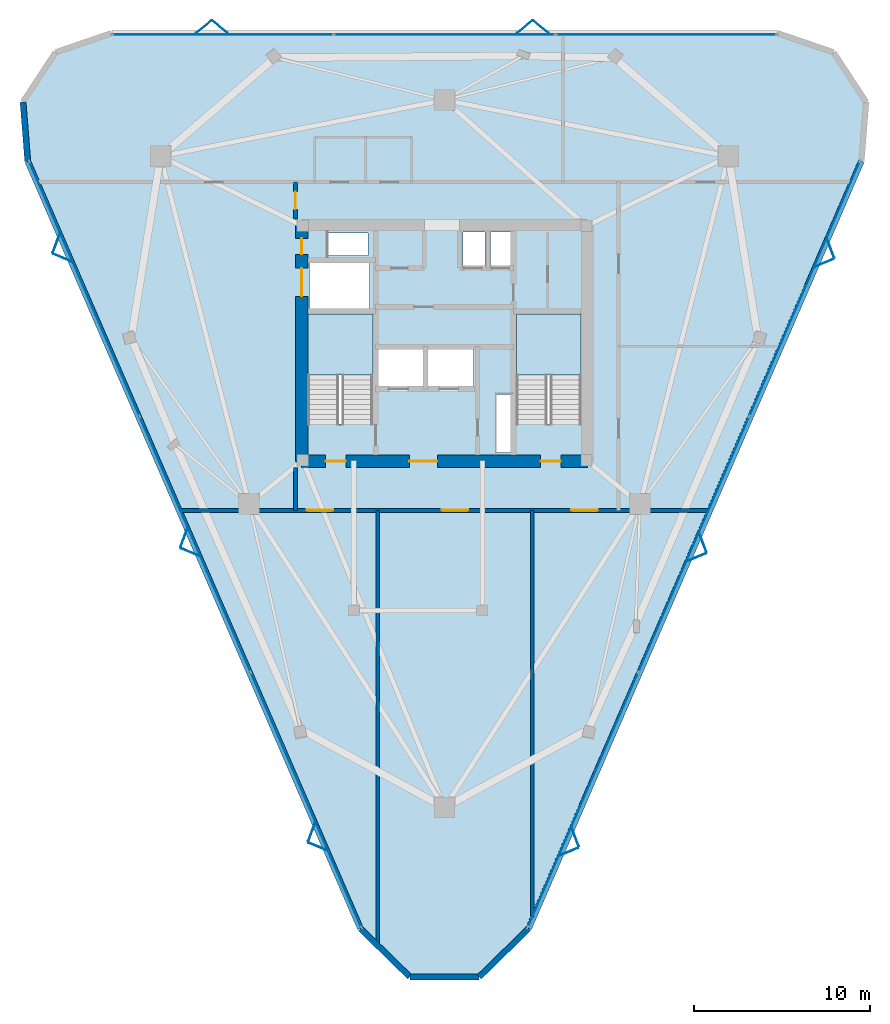
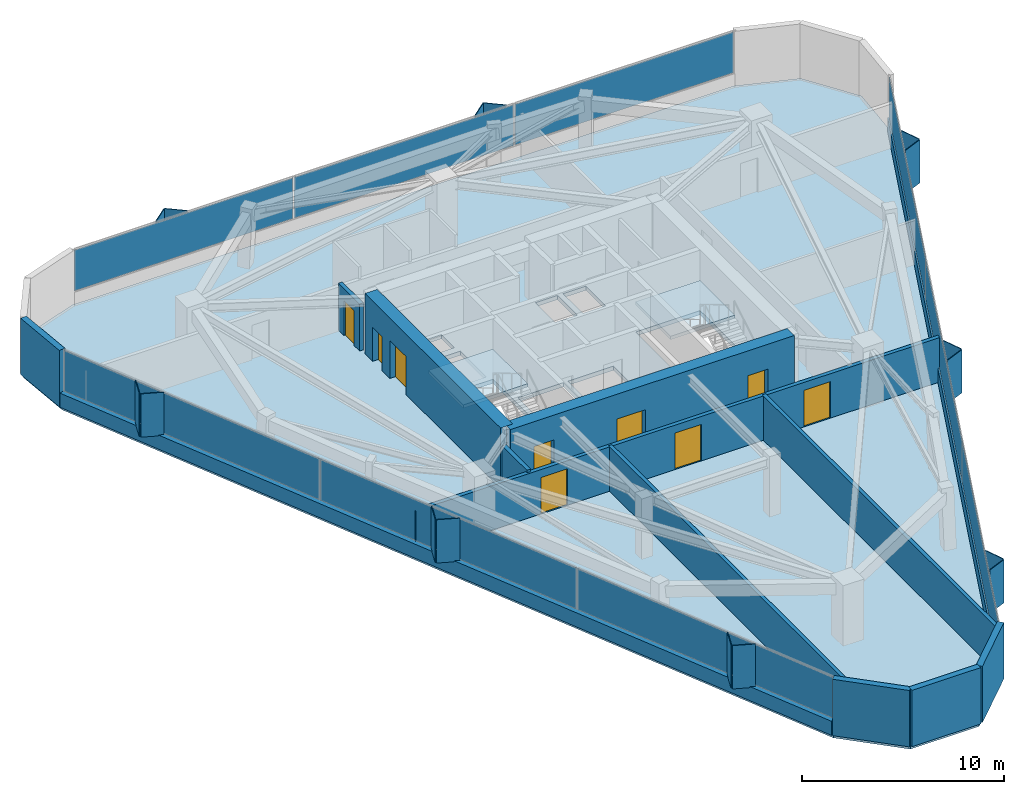
# One storey, part 8 of 11: 25 plates, 13 walls, 9 doors, 3 slabs, 9 openings, 5 elements without a shape of their own.
"""IFC4 building model written with IfcOpenShell, lengths in metres."""

from ifc_helpers import new_model, si_unit, direction, frame, frame_2d, origin, origin_2d, place, context, subcontext, project, spatial, polyline, rectangle, outline, extrude, material, layer, layer_set, type_object, element, fill, aggregate, save


model = new_model("IFC4")

# Units and contexts
model_context = context("Model", 3, precision=1e-05, world=origin(), true_north=direction((0.0, 1.0)))
body_context = subcontext(model_context, "Body", "Model", "MODEL_VIEW")
ifc_project = project(units=[si_unit("LENGTHUNIT", "METRE"), si_unit("AREAUNIT", "SQUARE_METRE"), si_unit("VOLUMEUNIT", "CUBIC_METRE"), si_unit("PLANEANGLEUNIT", "RADIAN"), si_unit("MASSUNIT", "GRAM", prefix="KILO")], contexts=[model_context])

# Site, building, storey
site_placement = place(None, origin())
site = spatial("IfcSite", under=ifc_project, at=site_placement, CompositionType="ELEMENT")
building_placement = place(site_placement, origin())
building = spatial("IfcBuilding", under=site, at=building_placement, Name="Talyreon Biosciences Tower", CompositionType="ELEMENT")
storey_placement = place(building_placement, frame((0.0, 0.0, 242.550048828125)))
storey = spatial("IfcBuildingStorey", under=building, at=storey_placement, Name="L64", CompositionType="ELEMENT", Elevation=242.550048828125)

# Curtain wall, plates
ifc_material_1 = material(Name="Thermally broken aluminium and low-E glazing", Category="aluminium")
ifc_layer_1 = layer(ifc_material_1, 0.175048828125)
ifc_layer_set_1 = layer_set([ifc_layer_1], Name="Thermally broken aluminium and low-E glazing")
curtain_wall_type = type_object("IfcCurtainWallType", Name="CurtainWall_Zone5CompLab", PredefinedType="NOTDEFINED", material=ifc_layer_set_1)
curtain_wall_1_placement = place(storey_placement, origin())
curtain_wall_1 = element("IfcCurtainWall", 1, at=curtain_wall_1_placement, inside=storey, type_object=curtain_wall_type, Name="L64 Unitised Curtain Wall FCW-L64-00", PredefinedType="NOTDEFINED")
ifc_material_2 = material(Name="Triple-silver low-E insulated glazing", Category="glass")
ifc_layer_2 = layer(ifc_material_2, 0.031982421875)
ifc_layer_set_2 = layer_set([ifc_layer_2], Name="Triple-silver low-E insulated glazing")
plate_type_1 = type_object("IfcPlateType", Name="CWGlazingPanel_32", PredefinedType="CURTAIN_PANEL", material=ifc_layer_set_2)
plate_1_placement = place(storey_placement, frame((58.1513671875, 42.10009765625, 0.875), z_axis=(0.0, 0.0, 1.0), x_axis=(-0.397832088162, 0.917458244079, 0.0)))
plate_1 = element("IfcPlate", 2, at=plate_1_placement, type_object=plate_type_1, Name="CW6 panel 1.1", PredefinedType="CURTAIN_PANEL", context=body_context, shape_type="SweptSolid", body=[
    extrude(rectangle(XDim=15.71240234375, YDim=0.031982421875, at=origin_2d()), origin(), (0.0, 0.0, 1.0), 2.4599609375),
])
plate_2_placement = place(storey_placement, frame((51.867919921875, 56.59033203125, 0.875), z_axis=(0.0, 0.0, 1.0), x_axis=(-0.397832088162, 0.917458244079, 0.0)))
plate_2 = element("IfcPlate", 3, at=plate_2_placement, type_object=plate_type_1, Name="CW6 panel 2.1", PredefinedType="CURTAIN_PANEL", context=body_context, shape_type="SweptSolid", body=[
    extrude(rectangle(XDim=15.7451171875, YDim=0.031982421875, at=origin_2d()), origin(), (0.0, 0.0, 1.0), 2.4599609375),
])
plate_3_placement = place(storey_placement, frame((45.584716796875, 71.080322265625, 0.875), z_axis=(0.0, 0.0, 1.0), x_axis=(-0.397832088162, 0.917458244079, 0.0)))
plate_3 = element("IfcPlate", 4, at=plate_3_placement, type_object=plate_type_1, Name="CW6 panel 3.1", PredefinedType="CURTAIN_PANEL", context=body_context, shape_type="SweptSolid", body=[
    extrude(rectangle(XDim=15.71240234375, YDim=0.031982421875, at=origin_2d()), origin(), (0.0, 0.0, 1.0), 2.4599609375),
])
aggregate(curtain_wall_1, [plate_1, plate_2, plate_3])

curtain_wall_2_placement = place(storey_placement, origin())
curtain_wall_2 = element("IfcCurtainWall", 5, at=curtain_wall_2_placement, inside=storey, type_object=curtain_wall_type, Name="L64 Unitised Curtain Wall FCW-L64-04", PredefinedType="NOTDEFINED")
plate_4_placement = place(storey_placement, frame((53.436767578125, 85.504638671875, 0.875), z_axis=(0.0, 0.0, 1.0), x_axis=(1.0, 0.0, 0.0)))
plate_4 = element("IfcPlate", 6, at=plate_4_placement, type_object=plate_type_1, Name="CW6 panel 1.1", PredefinedType="CURTAIN_PANEL", context=body_context, shape_type="SweptSolid", body=[
    extrude(rectangle(XDim=12.48193359375, YDim=0.031982421875, at=origin_2d()), origin(), (0.0, 0.0, 1.0), 2.4599609375),
])
plate_5_placement = place(storey_placement, frame((66.0, 85.504638671875, 0.875), z_axis=(0.0, 0.0, 1.0), x_axis=(1.0, 0.0, 0.0)))
plate_5 = element("IfcPlate", 7, at=plate_5_placement, type_object=plate_type_1, Name="CW6 panel 2.1", PredefinedType="CURTAIN_PANEL", context=body_context, shape_type="SweptSolid", body=[
    extrude(rectangle(XDim=12.514404296875, YDim=0.031982421875, at=origin_2d()), origin(), (0.0, 0.0, 1.0), 2.4599609375),
])
plate_6_placement = place(storey_placement, frame((78.563232421875, 85.504638671875, 0.875), z_axis=(0.0, 0.0, 1.0), x_axis=(1.0, 0.0, 0.0)))
plate_6 = element("IfcPlate", 8, at=plate_6_placement, type_object=plate_type_1, Name="CW6 panel 3.1", PredefinedType="CURTAIN_PANEL", context=body_context, shape_type="SweptSolid", body=[
    extrude(rectangle(XDim=12.48193359375, YDim=0.031982421875, at=origin_2d()), origin(), (0.0, 0.0, 1.0), 2.4599609375),
])
aggregate(curtain_wall_2, [plate_4, plate_5, plate_6])

curtain_wall_3_placement = place(storey_placement, origin())
curtain_wall_3 = element("IfcCurtainWall", 9, at=curtain_wall_3_placement, inside=storey, type_object=curtain_wall_type, Name="L64 Unitised Curtain Wall FCW-L64-08", PredefinedType="NOTDEFINED")
plate_7_placement = place(storey_placement, frame((86.415283203125, 71.080322265625, 0.875), z_axis=(0.0, 0.0, 1.0), x_axis=(-0.397832088162, -0.917458244079, 0.0)))
plate_7 = element("IfcPlate", 10, at=plate_7_placement, type_object=plate_type_1, Name="CW6 panel 1.1", PredefinedType="CURTAIN_PANEL", context=body_context, shape_type="SweptSolid", body=[
    extrude(rectangle(XDim=15.71240234375, YDim=0.031982421875, at=origin_2d()), origin(), (0.0, 0.0, 1.0), 2.4599609375),
])
plate_8_placement = place(storey_placement, frame((80.132080078125, 56.59033203125, 0.875), z_axis=(0.0, 0.0, 1.0), x_axis=(-0.397832088162, -0.917458244079, 0.0)))
plate_8 = element("IfcPlate", 11, at=plate_8_placement, type_object=plate_type_1, Name="CW6 panel 2.1", PredefinedType="CURTAIN_PANEL", context=body_context, shape_type="SweptSolid", body=[
    extrude(rectangle(XDim=15.7451171875, YDim=0.031982421875, at=origin_2d()), origin(), (0.0, 0.0, 1.0), 2.4599609375),
])
plate_9_placement = place(storey_placement, frame((73.8486328125, 42.10009765625, 0.875), z_axis=(0.0, 0.0, 1.0), x_axis=(-0.397832088162, -0.917458244079, 0.0)))
plate_9 = element("IfcPlate", 12, at=plate_9_placement, type_object=plate_type_1, Name="CW6 panel 3.1", PredefinedType="CURTAIN_PANEL", context=body_context, shape_type="SweptSolid", body=[
    extrude(rectangle(XDim=15.71240234375, YDim=0.031982421875, at=origin_2d()), origin(), (0.0, 0.0, 1.0), 2.4599609375),
])
aggregate(curtain_wall_3, [plate_7, plate_8, plate_9])

# Slab
ifc_material_3 = material(Name="Concrete C40/50", Category="concrete")
ifc_layer_3 = layer(ifc_material_3, 0.25)
ifc_layer_set_3 = layer_set([ifc_layer_3], Name="Concrete C40/50")
slab_type_1 = type_object("IfcSlabType", Name="DryLabFloorSlab_250", PredefinedType="FLOOR", material=ifc_layer_set_3)
slab_1_placement = place(storey_placement, frame((0.0, 0.0, -0.25)))
element("IfcSlab", 13, at=slab_1_placement, inside=storey, type_object=slab_type_1, Name="L64 Structural Floor Slab", PredefinedType="FLOOR", context=body_context, shape_type="SweptSolid", body=[
    extrude(outline(polyline([(61.229248046875, 34.80078125), (42.360107421875, 78.31591796875), (42.093505859375, 81.67529296875), (43.942626953125, 84.49267578125), (47.130615234375, 85.584716796875), (84.869140625, 85.584716796875), (88.057373046875, 84.49267578125), (89.906494140625, 81.67529296875), (89.639892578125, 78.31591796875), (70.770751953125, 34.80078125), (67.963623046875, 32.0546875), (64.036376953125, 32.0546875), (61.229248046875, 34.80078125)]), holes=[polyline([(69.820068359375, 65.10009765625), (69.820068359375, 61.800048828125), (68.9599609375, 61.800048828125), (68.9599609375, 65.10009765625), (69.820068359375, 65.10009765625)]), polyline([(61.929931640625, 69.64990234375), (61.929931640625, 63.407958984375), (58.25, 63.407958984375), (58.25, 69.64990234375), (61.929931640625, 69.64990234375)]), polyline([(73.75, 69.64990234375), (73.75, 63.407958984375), (70.070068359375, 63.407958984375), (70.070068359375, 69.64990234375), (73.75, 69.64990234375)]), polyline([(64.800048828125, 67.64990234375), (64.800048828125, 65.550048828125), (62.199951171875, 65.550048828125), (62.199951171875, 67.64990234375), (64.800048828125, 67.64990234375)]), polyline([(67.64990234375, 67.64990234375), (67.64990234375, 65.550048828125), (65.050048828125, 65.550048828125), (65.050048828125, 67.64990234375), (67.64990234375, 67.64990234375)]), polyline([(61.75, 72.550048828125), (61.75, 69.97998046875), (58.35009765625, 69.97998046875), (58.35009765625, 72.550048828125), (61.75, 72.550048828125)]), polyline([(68.300048828125, 74.300048828125), (68.300048828125, 72.35009765625), (67.050048828125, 72.35009765625), (67.050048828125, 74.300048828125), (68.300048828125, 74.300048828125)]), polyline([(69.919921875, 72.35009765625), (68.6201171875, 72.35009765625), (68.6201171875, 74.300048828125), (69.919921875, 74.300048828125), (69.919921875, 72.35009765625)]), polyline([(61.64990234375, 72.9599609375), (59.39990234375, 72.9599609375), (59.39990234375, 74.25), (61.64990234375, 74.25), (61.64990234375, 72.9599609375)])]), origin(), (0.0, 0.0, 1.0), 0.25),
])

# Plates
ifc_material_4 = material(Name="Ivory GFRC sunshade panel", Category="concrete")
ifc_layer_4 = layer(ifc_material_4, 0.044921875)
ifc_layer_set_4 = layer_set([ifc_layer_4], Name="Ivory GFRC sunshade panel")
plate_type_2 = type_object("IfcPlateType", Name="FoldedVSunshade_NorthFace_SUNSHADE", PredefinedType="USERDEFINED", material=ifc_layer_set_4)
for number, where, z_axis, x_axis, name in (
    (14, (52.3505859375, 85.944580078125, 0.7900390625), (0.0, 0.0, 1.0), (0.771624583388, 0.636078220278, 0.0), "L64 Folded V-Sunshade Panel 04.01L"),
    (15, (53.250732421875, 85.944580078125, 0.7900390625), (0.0, 0.0, 1.0), (0.771624583388, -0.636078220278, 0.0), "L64 Folded V-Sunshade Panel 04.01R"),
    (16, (70.55078125, 85.944580078125, 0.7900390625), (0.0, 0.0, 1.0), (0.771624583388, 0.636078220278, 0.0), "L64 Folded V-Sunshade Panel 04.02L"),
    (17, (71.45068359375, 85.944580078125, 0.7900390625), (0.0, 0.0, 1.0), (0.771624583388, -0.636078220278, 0.0), "L64 Folded V-Sunshade Panel 04.02R"),
):
    element("IfcPlate", number, at=place(storey_placement, frame(where, z_axis=z_axis, x_axis=x_axis)), inside=storey, type_object=plate_type_2, Name=name, ObjectType="SUNSHADE", PredefinedType="USERDEFINED", context=body_context, shape_type="SweptSolid", body=[
        extrude(rectangle(XDim=1.14990234375, YDim=0.044921875, at=origin_2d()), origin(), (0.0, 0.0, 1.0), 2.610107421875),
    ])
ifc_layer_5 = layer(ifc_material_4, 0.044921875)
ifc_layer_set_5 = layer_set([ifc_layer_5], Name="Ivory GFRC sunshade panel")
plate_type_3 = type_object("IfcPlateType", Name="FoldedVSunshade_SunFace_SUNSHADE", PredefinedType="USERDEFINED", material=ifc_layer_set_5)
for number, where, z_axis, x_axis, name in (
    (18, (58.822265625, 39.44677734375, 0.7900390625), (0.0, 0.0, 1.0), (-0.923498367496, 0.383602353007, 0.0), "L64 Folded V-Sunshade Panel 00.01L"),
    (19, (58.464111328125, 40.2724609375, 0.7900390625), (0.0, 0.0, 1.0), (0.351139044587, 0.936323326296, 0.0), "L64 Folded V-Sunshade Panel 00.01R"),
    (20, (51.581787109375, 56.14453125, 0.7900390625), (0.0, 0.0, 1.0), (-0.923498367496, 0.383602353007, 0.0), "L64 Folded V-Sunshade Panel 00.02L"),
    (21, (51.2236328125, 56.97021484375, 0.7900390625), (0.0, 0.0, 1.0), (0.351139044587, 0.936323326296, 0.0), "L64 Folded V-Sunshade Panel 00.02R"),
    (22, (44.341064453125, 72.84228515625, 0.7900390625), (0.0, 0.0, 1.0), (-0.923498367496, 0.383602353007, 0.0), "L64 Folded V-Sunshade Panel 00.03L"),
    (23, (43.983154296875, 73.66796875, 0.7900390625), (0.0, 0.0, 1.0), (0.351139044587, 0.936323326296, 0.0), "L64 Folded V-Sunshade Panel 00.03R"),
    (24, (87.8935546875, 73.383544921875, 0.7900390625), (0.0, 0.0, 1.0), (0.351139044587, -0.936323326296, 0.0), "L64 Folded V-Sunshade Panel 08.01L"),
    (25, (87.53564453125, 72.557861328125, 0.7900390625), (0.0, 0.0, 1.0), (-0.923498367496, -0.383602353007, 0.0), "L64 Folded V-Sunshade Panel 08.01R"),
    (26, (80.653076171875, 56.685791015625, 0.7900390625), (0.0, 0.0, 1.0), (0.351139044587, -0.936323326296, 0.0), "L64 Folded V-Sunshade Panel 08.02L"),
    (27, (80.294921875, 55.860107421875, 0.7900390625), (0.0, 0.0, 1.0), (-0.923498367496, -0.383602353007, 0.0), "L64 Folded V-Sunshade Panel 08.02R"),
    (28, (73.41259765625, 39.98828125, 0.7900390625), (0.0, 0.0, 1.0), (0.351139044587, -0.936323326296, 0.0), "L64 Folded V-Sunshade Panel 08.03L"),
    (29, (73.054443359375, 39.16259765625, 0.7900390625), (0.0, 0.0, 1.0), (-0.923498367496, -0.383602353007, 0.0), "L64 Folded V-Sunshade Panel 08.03R"),
):
    element("IfcPlate", number, at=place(storey_placement, frame(where, z_axis=z_axis, x_axis=x_axis)), inside=storey, type_object=plate_type_3, Name=name, ObjectType="SUNSHADE", PredefinedType="USERDEFINED", context=body_context, shape_type="SweptSolid", body=[
        extrude(rectangle(XDim=1.14990234375, YDim=0.044921875, at=origin_2d()), origin(), (0.0, 0.0, 1.0), 2.610107421875),
    ])

# Stair, slab
stair_type = type_object("IfcStairType", Name="DoglegEscapeStair_3650", PredefinedType="HALF_TURN_STAIR", material=ifc_material_3)
stair_1_placement = place(storey_placement, origin())
stair_1 = element("IfcStair", 30, at=stair_1_placement, inside=storey, type_object=stair_type, Name="L64 Core Escape Stair 1", PredefinedType="HALF_TURN_STAIR")
ifc_layer_6 = layer(ifc_material_3, 0.199951171875)
ifc_layer_set_6 = layer_set([ifc_layer_6], Name="Concrete C40/50")
slab_type_2 = type_object("IfcSlabType", Name="StairLandingSlab_200", PredefinedType="LANDING", material=ifc_layer_set_6)
slab_2_placement = place(storey_placement, frame((0.0, 0.0, 1.625)))
slab_2 = element("IfcSlab", 31, at=slab_2_placement, type_object=slab_type_2, Name="ST-1 landing 1", PredefinedType="LANDING", context=body_context, shape_type="SweptSolid", body=[
    extrude(outline(polyline([(61.929931640625, 66.199951171875), (61.929931640625, 69.64990234375), (58.25, 69.64990234375), (58.25, 66.199951171875), (61.929931640625, 66.199951171875)])), origin(), (0.0, 0.0, 1.0), 0.199951171875),
])
aggregate(stair_1, [slab_2])

stair_2_placement = place(storey_placement, origin())
stair_2 = element("IfcStair", 32, at=stair_2_placement, inside=storey, type_object=stair_type, Name="L64 Core Escape Stair 2", PredefinedType="HALF_TURN_STAIR")
slab_3_placement = place(storey_placement, frame((0.0, 0.0, 1.625)))
slab_3 = element("IfcSlab", 33, at=slab_3_placement, type_object=slab_type_2, Name="ST-2 landing 1", PredefinedType="LANDING", context=body_context, shape_type="SweptSolid", body=[
    extrude(outline(polyline([(73.75, 66.199951171875), (73.75, 69.64990234375), (70.070068359375, 69.64990234375), (70.070068359375, 66.199951171875), (73.75, 66.199951171875)])), origin(), (0.0, 0.0, 1.0), 0.199951171875),
])
aggregate(stair_2, [slab_3])

# Walls
ifc_material_5 = material(Name="Gypsum fireboard acoustic stud", Category="gypsum")
ifc_layer_7 = layer(ifc_material_5, 0.199951171875)
ifc_layer_set_7 = layer_set([ifc_layer_7], Name="Gypsum fireboard acoustic stud")
wall_type_1 = type_object("IfcWallType", Name="ChemControlPartition_200", PredefinedType="PARTITIONING", material=ifc_layer_set_7)
wall_1_placement = place(storey_placement, frame((62.199951171875, 33.97021484375, 0.0), z_axis=(0.0, 0.0, 1.0), x_axis=(0.0, 1.0, 0.0)))
element("IfcWall", 34, at=wall_1_placement, inside=storey, type_object=wall_type_1, Name="L64 Interior Wall IW-L64-SDIV1", PredefinedType="PARTITIONING", context=body_context, shape_type="SweptSolid", body=[
    extrude(rectangle(XDim=24.5498046875, YDim=0.199951171875, at=frame_2d((12.27490234375, 0.0))), origin(), (0.0, 0.0, 1.0), 2.679931640625),
])
wall_2_placement = place(storey_placement, frame((70.968017578125, 35.46923828125, 0.0), z_axis=(0.0, 0.0, 1.0), x_axis=(0.0, 1.0, 0.0)))
element("IfcWall", 35, at=wall_2_placement, inside=storey, type_object=wall_type_1, Name="L64 Interior Wall IW-L64-SDIV2", PredefinedType="PARTITIONING", context=body_context, shape_type="SweptSolid", body=[
    extrude(rectangle(XDim=23.05078125, YDim=0.199951171875, at=frame_2d((11.525390625, 0.0))), origin(), (0.0, 0.0, 1.0), 2.679931640625),
])

# Wall, openings, doors
ifc_material_6 = material(Name="Concrete C50/60", Category="concrete")
ifc_layer_8 = layer(ifc_material_6, 0.699951171875)
ifc_layer_set_8 = layer_set([ifc_layer_8], Name="Concrete C50/60")
wall_type_2 = type_object("IfcWallType", Name="CoreShearWall_700", PredefinedType="SHEAR", material=ifc_layer_set_8)
wall_3_placement = place(storey_placement, frame((57.89990234375, 61.300048828125, 0.0), z_axis=(0.0, 0.0, 1.0), x_axis=(1.0, 0.0, 0.0)))
wall_3 = element("IfcWall", 36, at=wall_3_placement, inside=storey, type_object=wall_type_2, Name="L64 Core Shear Wall S", PredefinedType="SHEAR", context=body_context, shape_type="SweptSolid", body=[
    extrude(rectangle(XDim=16.2001953125, YDim=0.699951171875, at=frame_2d((8.10009765625, 0.0))), origin(), (0.0, 0.0, 1.0), 3.64990234375),
])
opening_1_placement = place(wall_3_placement, frame((1.35009765625, 0.0, 0.0)))
opening_1 = element("IfcOpeningElement", 37, at=opening_1_placement, cuts=wall_3, Name="Opening DR-L64-ST1", PredefinedType="OPENING", context=body_context, shape_type="SweptSolid", body=[
    extrude(rectangle(XDim=1.14990234375, YDim=2.14990234375, at=frame_2d((0.574951171875, 1.074951171875))), frame((0.0, 0.35986328125, 0.0), z_axis=(0.0, -1.0, 0.0), x_axis=(1.0, 0.0, 0.0)), (0.0, 0.0, 1.0), 0.719970703125),
])
opening_2_placement = place(wall_3_placement, frame((6.10009765625, 0.0, 0.0)))
opening_2 = element("IfcOpeningElement", 38, at=opening_2_placement, cuts=wall_3, Name="Opening DR-L64-FFL", PredefinedType="OPENING", context=body_context, shape_type="SweptSolid", body=[
    extrude(rectangle(XDim=1.60009765625, YDim=2.14990234375, at=frame_2d((0.800048828125, 1.074951171875))), frame((0.0, 0.35986328125, 0.0), z_axis=(0.0, -1.0, 0.0), x_axis=(1.0, 0.0, 0.0)), (0.0, 0.0, 1.0), 0.719970703125),
])
opening_3_placement = place(wall_3_placement, frame((13.550048828125, 0.0, 0.0)))
opening_3 = element("IfcOpeningElement", 39, at=opening_3_placement, cuts=wall_3, Name="Opening DR-L64-ST2", PredefinedType="OPENING", context=body_context, shape_type="SweptSolid", body=[
    extrude(rectangle(XDim=1.14990234375, YDim=2.14990234375, at=frame_2d((0.574951171875, 1.074951171875))), frame((0.0, 0.35986328125, 0.0), z_axis=(0.0, -1.0, 0.0), x_axis=(1.0, 0.0, 0.0)), (0.0, 0.0, 1.0), 0.719970703125),
])
ifc_material_7 = material(Name="Painted steel smoke-seal fire door", Category="steel")
door_type_1 = type_object("IfcDoorType", Name="FirefightingLobbyDoubleDoor_1600x2150", OperationType="DOUBLE_DOOR_SINGLE_SWING", PredefinedType="DOOR", material=ifc_material_7)
door_1_placement = place(opening_2_placement, origin())
door_1 = element("IfcDoor", 40, at=door_1_placement, inside=storey, type_object=door_type_1, Name="L64 Core Door DR-L64-FFL", OperationType="DOUBLE_DOOR_SINGLE_SWING", OverallHeight=2.14990234375, OverallWidth=1.60009765625, PredefinedType="DOOR", context=body_context, shape_type="SweptSolid", body=[
    extrude(rectangle(XDim=1.60009765625, YDim=2.14990234375, at=frame_2d((0.800048828125, 1.074951171875))), frame((0.0, 0.02490234375, 0.0), z_axis=(0.0, -1.0, 0.0), x_axis=(1.0, 0.0, 0.0)), (0.0, 0.0, 1.0), 0.050048828125),
])
fill(opening_2, door_1)
ifc_material_8 = material(Name="Painted steel fire door", Category="steel")
door_type_2 = type_object("IfcDoorType", Name="StairShaftFireDoor_1150x2150", OperationType="NOTDEFINED", PredefinedType="DOOR", material=ifc_material_8)
door_2_placement = place(opening_1_placement, origin())
door_2 = element("IfcDoor", 41, at=door_2_placement, inside=storey, type_object=door_type_2, Name="L64 Core Door DR-L64-ST1", OperationType="SINGLE_SWING_LEFT", OverallHeight=2.14990234375, OverallWidth=1.14990234375, PredefinedType="DOOR", context=body_context, shape_type="SweptSolid", body=[
    extrude(rectangle(XDim=1.14990234375, YDim=2.14990234375, at=frame_2d((0.574951171875, 1.074951171875))), frame((0.0, 0.02490234375, 0.0), z_axis=(0.0, -1.0, 0.0), x_axis=(1.0, 0.0, 0.0)), (0.0, 0.0, 1.0), 0.050048828125),
])
fill(opening_1, door_2)
door_3_placement = place(opening_3_placement, origin())
door_3 = element("IfcDoor", 42, at=door_3_placement, inside=storey, type_object=door_type_2, Name="L64 Core Door DR-L64-ST2", OperationType="SINGLE_SWING_RIGHT", OverallHeight=2.14990234375, OverallWidth=1.14990234375, PredefinedType="DOOR", context=body_context, shape_type="SweptSolid", body=[
    extrude(rectangle(XDim=1.14990234375, YDim=2.14990234375, at=frame_2d((0.574951171875, 1.074951171875))), frame((0.0, 0.02490234375, 0.0), z_axis=(0.0, -1.0, 0.0), x_axis=(1.0, 0.0, 0.0)), (0.0, 0.0, 1.0), 0.050048828125),
])
fill(opening_3, door_3)

wall_4_placement = place(storey_placement, frame((57.89990234375, 74.699951171875, 0.0), z_axis=(0.0, 0.0, 1.0), x_axis=(0.0, -1.0, 0.0)))
wall_4 = element("IfcWall", 43, at=wall_4_placement, inside=storey, type_object=wall_type_2, Name="L64 Core Shear Wall W", PredefinedType="SHEAR", context=body_context, shape_type="SweptSolid", body=[
    extrude(rectangle(XDim=13.39990234375, YDim=0.699951171875, at=frame_2d((6.699951171875, 0.0))), origin(), (0.0, 0.0, 1.0), 3.64990234375),
])
opening_4_placement = place(wall_4_placement, frame((0.75, 0.0, 0.0)))
opening_4 = element("IfcOpeningElement", 44, at=opening_4_placement, cuts=wall_4, Name="Opening DR-L64-RSW", PredefinedType="OPENING", context=body_context, shape_type="SweptSolid", body=[
    extrude(rectangle(XDim=0.919921875, YDim=2.050048828125, at=frame_2d((0.4599609375, 1.02490234375))), frame((0.0, 0.35986328125, 0.0), z_axis=(0.0, -1.0, 0.0), x_axis=(1.0, 0.0, 0.0)), (0.0, 0.0, 1.0), 0.719970703125),
])
opening_5_placement = place(wall_4_placement, frame((2.449951171875, 0.0, 0.0)))
opening_5 = element("IfcOpeningElement", 45, at=opening_5_placement, cuts=wall_4, Name="Opening LD-L64-GL1", PredefinedType="OPENING", context=body_context, shape_type="SweptSolid", body=[
    extrude(rectangle(XDim=1.60009765625, YDim=2.300048828125, at=frame_2d((0.800048828125, 1.14990234375))), frame((0.0, 0.35986328125, 0.0), z_axis=(0.0, -1.0, 0.0), x_axis=(1.0, 0.0, 0.0)), (0.0, 0.0, 1.0), 0.719970703125),
])
ifc_material_9 = material(Name="Heavy-duty stainless-steel goods lift door", Category="steel")
door_type_3 = type_object("IfcDoorType", Name="GoodsLiftSlidingDoor_1600x2300", OperationType="DOUBLE_DOOR_SLIDING", PredefinedType="DOOR", material=ifc_material_9)
door_4_placement = place(opening_5_placement, origin())
door_4 = element("IfcDoor", 46, at=door_4_placement, inside=storey, type_object=door_type_3, Name="L64 Core Door LD-L64-GL1", OperationType="DOUBLE_DOOR_SLIDING", OverallHeight=2.300048828125, OverallWidth=1.60009765625, PredefinedType="DOOR", context=body_context, shape_type="SweptSolid", body=[
    extrude(rectangle(XDim=1.60009765625, YDim=2.300048828125, at=frame_2d((0.800048828125, 1.14990234375))), frame((0.0, 0.02490234375, 0.0), z_axis=(0.0, -1.0, 0.0), x_axis=(1.0, 0.0, 0.0)), (0.0, 0.0, 1.0), 0.050048828125),
])
fill(opening_5, door_4)
ifc_material_10 = material(Name="Painted steel fire-rated riser door", Category="steel")
door_type_4 = type_object("IfcDoorType", Name="RiserPlantAccessDoor_920x2050", OperationType="NOTDEFINED", PredefinedType="DOOR", material=ifc_material_10)
door_5_placement = place(opening_4_placement, origin())
door_5 = element("IfcDoor", 47, at=door_5_placement, inside=storey, type_object=door_type_4, Name="L64 Core Door DR-L64-RSW", OperationType="SINGLE_SWING_LEFT", OverallHeight=2.050048828125, OverallWidth=0.919921875, PredefinedType="DOOR", context=body_context, shape_type="SweptSolid", body=[
    extrude(rectangle(XDim=0.919921875, YDim=2.050048828125, at=frame_2d((0.4599609375, 1.02490234375))), frame((0.0, 0.02490234375, 0.0), z_axis=(0.0, -1.0, 0.0), x_axis=(1.0, 0.0, 0.0)), (0.0, 0.0, 1.0), 0.050048828125),
])
fill(opening_4, door_5)

ifc_layer_9 = layer(ifc_material_5, 0.219970703125)
ifc_layer_set_9 = layer_set([ifc_layer_9], Name="Gypsum fireboard acoustic stud")
wall_type_3 = type_object("IfcWallType", Name="CorridorRatedPartition_220", PredefinedType="PARTITIONING", material=ifc_layer_set_9)
wall_5_placement = place(storey_placement, frame((51.03662109375, 58.52001953125, 0.0), z_axis=(0.0, 0.0, 1.0), x_axis=(1.0, 0.0, 0.0)))
wall_5 = element("IfcWall", 48, at=wall_5_placement, inside=storey, type_object=wall_type_3, Name="L64 Interior Wall IW-L64-COR-S", PredefinedType="PARTITIONING", context=body_context, shape_type="SweptSolid", body=[
    extrude(rectangle(XDim=29.9267578125, YDim=0.219970703125, at=frame_2d((14.96337890625, 0.0))), origin(), (0.0, 0.0, 1.0), 2.679931640625),
])
opening_6_placement = place(wall_5_placement, frame((7.14990234375, 0.0, 0.0)))
opening_6 = element("IfcOpeningElement", 49, at=opening_6_placement, cuts=wall_5, Name="Opening DR-L64-S1A", PredefinedType="OPENING", context=body_context, shape_type="SweptSolid", body=[
    extrude(rectangle(XDim=1.5, YDim=2.199951171875, at=frame_2d((0.75, 1.10009765625))), frame((0.0, 0.119873046875, 0.0), z_axis=(0.0, -1.0, 0.0), x_axis=(1.0, 0.0, 0.0)), (0.0, 0.0, 1.0), 0.239990234375),
])
opening_7_placement = place(wall_5_placement, frame((14.797119140625, 0.0, 0.0)))
opening_7 = element("IfcOpeningElement", 50, at=opening_7_placement, cuts=wall_5, Name="Opening DR-L64-S2A", PredefinedType="OPENING", context=body_context, shape_type="SweptSolid", body=[
    extrude(rectangle(XDim=1.5, YDim=2.199951171875, at=frame_2d((0.75, 1.10009765625))), frame((0.0, 0.119873046875, 0.0), z_axis=(0.0, -1.0, 0.0), x_axis=(1.0, 0.0, 0.0)), (0.0, 0.0, 1.0), 0.239990234375),
])
opening_8_placement = place(wall_5_placement, frame((22.153076171875, 0.0, 0.0)))
opening_8 = element("IfcOpeningElement", 51, at=opening_8_placement, cuts=wall_5, Name="Opening DR-L64-S3A", PredefinedType="OPENING", context=body_context, shape_type="SweptSolid", body=[
    extrude(rectangle(XDim=1.5, YDim=2.199951171875, at=frame_2d((0.75, 1.10009765625))), frame((0.0, 0.119873046875, 0.0), z_axis=(0.0, -1.0, 0.0), x_axis=(1.0, 0.0, 0.0)), (0.0, 0.0, 1.0), 0.239990234375),
])
ifc_material_11 = material(Name="Vision-panel steel laboratory fire door", Category="steel")
door_type_5 = type_object("IfcDoorType", Name="WetLabDoubleLeafDoor_1500x2200", OperationType="DOUBLE_DOOR_SINGLE_SWING", PredefinedType="DOOR", material=ifc_material_11)
door_6_placement = place(opening_6_placement, origin())
door_6 = element("IfcDoor", 52, at=door_6_placement, inside=storey, type_object=door_type_5, Name="L64 Interior Door DR-L64-S1A", OperationType="DOUBLE_DOOR_SINGLE_SWING", OverallHeight=2.199951171875, OverallWidth=1.5, PredefinedType="DOOR", context=body_context, shape_type="SweptSolid", body=[
    extrude(rectangle(XDim=1.5, YDim=2.199951171875, at=frame_2d((0.75, 1.10009765625))), frame((0.0, 0.02490234375, 0.0), z_axis=(0.0, -1.0, 0.0), x_axis=(1.0, 0.0, 0.0)), (0.0, 0.0, 1.0), 0.050048828125),
])
fill(opening_6, door_6)
door_7_placement = place(opening_7_placement, origin())
door_7 = element("IfcDoor", 53, at=door_7_placement, inside=storey, type_object=door_type_5, Name="L64 Interior Door DR-L64-S2A", OperationType="DOUBLE_DOOR_SINGLE_SWING", OverallHeight=2.199951171875, OverallWidth=1.5, PredefinedType="DOOR", context=body_context, shape_type="SweptSolid", body=[
    extrude(rectangle(XDim=1.5, YDim=2.199951171875, at=frame_2d((0.75, 1.10009765625))), frame((0.0, 0.02490234375, 0.0), z_axis=(0.0, -1.0, 0.0), x_axis=(1.0, 0.0, 0.0)), (0.0, 0.0, 1.0), 0.050048828125),
])
fill(opening_7, door_7)
door_8_placement = place(opening_8_placement, origin())
door_8 = element("IfcDoor", 54, at=door_8_placement, inside=storey, type_object=door_type_5, Name="L64 Interior Door DR-L64-S3A", OperationType="DOUBLE_DOOR_SINGLE_SWING", OverallHeight=2.199951171875, OverallWidth=1.5, PredefinedType="DOOR", context=body_context, shape_type="SweptSolid", body=[
    extrude(rectangle(XDim=1.5, YDim=2.199951171875, at=frame_2d((0.75, 1.10009765625))), frame((0.0, 0.02490234375, 0.0), z_axis=(0.0, -1.0, 0.0), x_axis=(1.0, 0.0, 0.0)), (0.0, 0.0, 1.0), 0.050048828125),
])
fill(opening_8, door_8)

# Wall, opening, door
wall_6_placement = place(storey_placement, frame((57.550048828125, 75.050048828125, 0.0), z_axis=(0.0, 0.0, 1.0), x_axis=(0.0, 1.0, 0.0)))
wall_6 = element("IfcWall", 55, at=wall_6_placement, inside=storey, type_object=wall_type_3, Name="L64 Interior Wall IW-L64-WCAP-N", PredefinedType="PARTITIONING", context=body_context, shape_type="SweptSolid", body=[
    extrude(rectangle(XDim=2.079833984375, YDim=0.219970703125, at=frame_2d((1.0400390625, 0.0))), origin(), (0.0, 0.0, 1.0), 2.829833984375),
])
opening_9_placement = place(wall_6_placement, frame((0.5400390625, 0.0, 0.0)))
opening_9 = element("IfcOpeningElement", 56, at=opening_9_placement, cuts=wall_6, Name="Opening DR-L64-W1A", PredefinedType="OPENING", context=body_context, shape_type="SweptSolid", body=[
    extrude(rectangle(XDim=1.0, YDim=2.10009765625, at=frame_2d((0.5, 1.050048828125))), frame((0.0, 0.119873046875, 0.0), z_axis=(0.0, -1.0, 0.0), x_axis=(1.0, 0.0, 0.0)), (0.0, 0.0, 1.0), 0.239990234375),
])
ifc_material_12 = material(Name="Acoustic oak veneer office door", Category="wood")
door_type_6 = type_object("IfcDoorType", Name="WriteupOfficeDoor_1000x2100", OperationType="NOTDEFINED", PredefinedType="DOOR", material=ifc_material_12)
door_9_placement = place(opening_9_placement, origin())
door_9 = element("IfcDoor", 57, at=door_9_placement, inside=storey, type_object=door_type_6, Name="L64 Interior Door DR-L64-W1A", OperationType="SINGLE_SWING_LEFT", OverallHeight=2.10009765625, OverallWidth=1.0, PredefinedType="DOOR", context=body_context, shape_type="SweptSolid", body=[
    extrude(rectangle(XDim=1.0, YDim=2.10009765625, at=frame_2d((0.5, 1.050048828125))), frame((0.0, 0.02490234375, 0.0), z_axis=(0.0, -1.0, 0.0), x_axis=(1.0, 0.0, 0.0)), (0.0, 0.0, 1.0), 0.050048828125),
])
fill(opening_9, door_9)

# Walls
wall_7_placement = place(storey_placement, frame((57.550048828125, 58.52001953125, 0.0), z_axis=(0.0, 0.0, 1.0), x_axis=(0.0, 1.0, 0.0)))
element("IfcWall", 58, at=wall_7_placement, inside=storey, type_object=wall_type_3, Name="L64 Interior Wall IW-L64-WCAP-S", PredefinedType="PARTITIONING", context=body_context, shape_type="SweptSolid", body=[
    extrude(rectangle(XDim=2.429931640625, YDim=0.219970703125, at=frame_2d((1.21484375, 0.0))), origin(), (0.0, 0.0, 1.0), 2.829833984375),
])
ifc_material_13 = material(Name="Precast concrete C45/55", Category="concrete")
ifc_layer_10 = layer(ifc_material_13, 0.340087890625)
ifc_layer_set_10 = layer_set([ifc_layer_10], Name="Precast concrete C45/55")
wall_type_4 = type_object("IfcWallType", Name="PrecastConcreteSpandrelWall_340", PredefinedType="STANDARD", material=ifc_layer_set_10)
wall_8_placement = place(storey_placement, frame((61.229248046875, 34.80078125, 0.0), z_axis=(0.0, 0.0, 1.0), x_axis=(-0.397830751874, 0.917458823525, 0.0)))
element("IfcWall", 59, at=wall_8_placement, inside=storey, type_object=wall_type_4, Name="L64 Expressed Concrete Sill Wall 00", PredefinedType="STANDARD", context=body_context, shape_type="SweptSolid", body=[
    extrude(rectangle(XDim=47.43017578125, YDim=0.340087890625, at=frame_2d((23.715087890625, 0.0))), origin(), (0.0, 0.0, 1.0), 0.849853515625),
])
wall_9_placement = place(storey_placement, frame((42.360107421875, 78.31591796875, 0.0), z_axis=(0.0, 0.0, 1.0), x_axis=(-0.079111730003, 0.996865755343, 0.0)))
element("IfcWall", 60, at=wall_9_placement, inside=storey, type_object=wall_type_4, Name="L64 Rounded-Corner Concrete Pier 01", PredefinedType="STANDARD", context=body_context, shape_type="SweptSolid", body=[
    extrude(rectangle(XDim=3.369873046875, YDim=0.340087890625, at=frame_2d((1.68505859375, 0.0))), origin(), (0.0, 0.0, 1.0), 3.39990234375),
])
wall_10_placement = place(storey_placement, frame((89.639892578125, 78.31591796875, 0.0), z_axis=(0.0, 0.0, 1.0), x_axis=(-0.397830751874, -0.917458823525, 0.0)))
element("IfcWall", 61, at=wall_10_placement, inside=storey, type_object=wall_type_4, Name="L64 Expressed Concrete Sill Wall 08", PredefinedType="STANDARD", context=body_context, shape_type="SweptSolid", body=[
    extrude(rectangle(XDim=47.43017578125, YDim=0.340087890625, at=frame_2d((23.715087890625, 0.0))), origin(), (0.0, 0.0, 1.0), 0.849853515625),
])
wall_11_placement = place(storey_placement, frame((70.770751953125, 34.80078125, 0.0), z_axis=(0.0, 0.0, 1.0), x_axis=(-0.714835376788, -0.699292774231, 0.0)))
element("IfcWall", 62, at=wall_11_placement, inside=storey, type_object=wall_type_4, Name="L64 Rounded-Corner Concrete Pier 09", PredefinedType="STANDARD", context=body_context, shape_type="SweptSolid", body=[
    extrude(rectangle(XDim=3.927001953125, YDim=0.340087890625, at=frame_2d((1.96337890625, 0.0))), origin(), (0.0, 0.0, 1.0), 3.39990234375),
])
wall_12_placement = place(storey_placement, frame((67.963623046875, 32.0546875, 0.0), z_axis=(0.0, 0.0, 1.0), x_axis=(-1.0, 0.0, 0.0)))
element("IfcWall", 63, at=wall_12_placement, inside=storey, type_object=wall_type_4, Name="L64 Rounded-Corner Concrete Pier 10", PredefinedType="STANDARD", context=body_context, shape_type="SweptSolid", body=[
    extrude(rectangle(XDim=3.92724609375, YDim=0.340087890625, at=frame_2d((1.963623046875, 0.0))), origin(), (0.0, 0.0, 1.0), 3.39990234375),
])
wall_13_placement = place(storey_placement, frame((64.036376953125, 32.0546875, 0.0), z_axis=(0.0, 0.0, 1.0), x_axis=(-0.714835376788, 0.699292774231, 0.0)))
element("IfcWall", 64, at=wall_13_placement, inside=storey, type_object=wall_type_4, Name="L64 Rounded-Corner Concrete Pier 11", PredefinedType="STANDARD", context=body_context, shape_type="SweptSolid", body=[
    extrude(rectangle(XDim=3.927001953125, YDim=0.340087890625, at=frame_2d((1.96337890625, 0.0))), origin(), (0.0, 0.0, 1.0), 3.39990234375),
])

save(model, "model.ifc")
